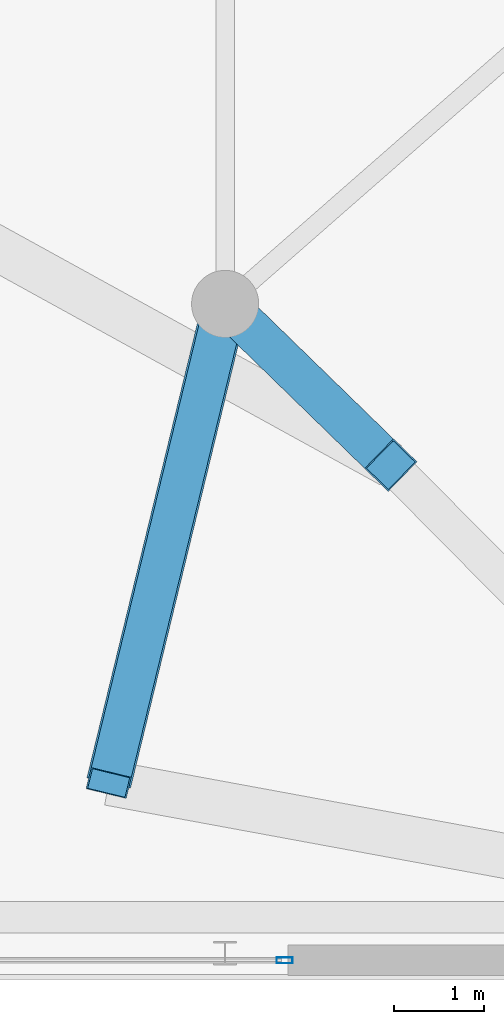
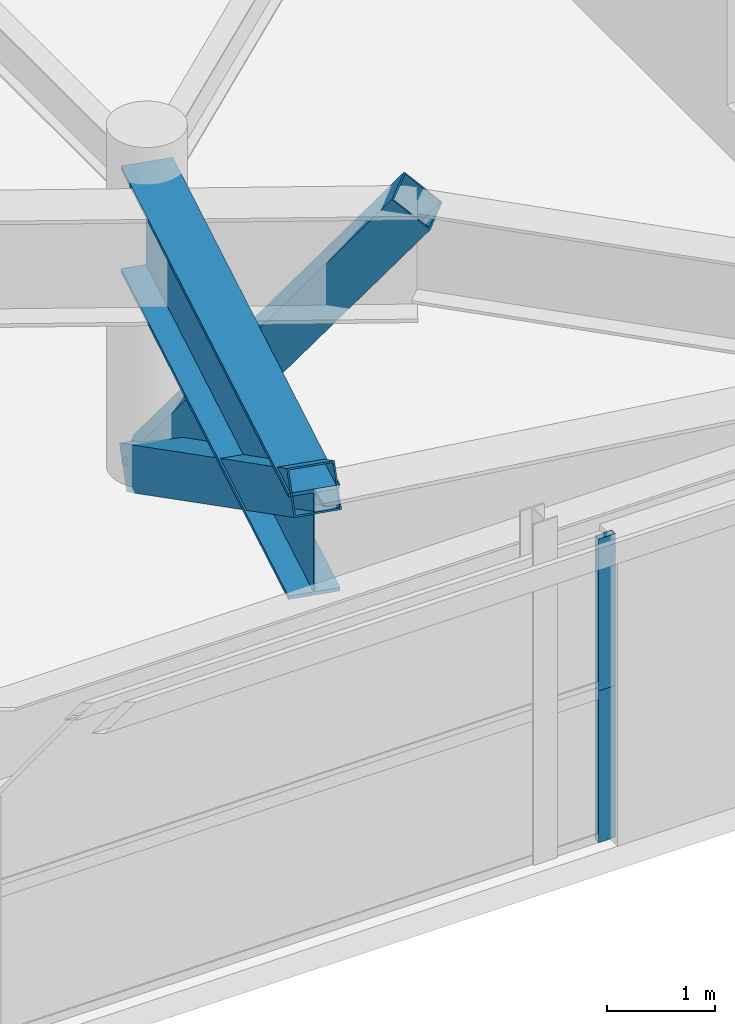
# One storey, part 17 of 27: 4 members, 1 beam, 2 elements without a shape of their own.
"""IFC4 building model written with IfcOpenShell, lengths in metres."""

from ifc_helpers import new_model, si_unit, direction, frame, origin, origin_2d, place, context, subcontext, project, spatial, hollow_rectangle, i_section, extrude, source, transform, mapped, material, layer, layer_set, material_profile, profile_set, type_object, element, aggregate, save


model = new_model("IFC4")

# Units and contexts
model_context = context("Model", 3, precision=1e-05, world=origin(), true_north=direction((0.0, 1.0)))
body_context = subcontext(model_context, "Body", "Model", "MODEL_VIEW")
ifc_project = project(units=[si_unit("LENGTHUNIT", "METRE"), si_unit("AREAUNIT", "SQUARE_METRE"), si_unit("VOLUMEUNIT", "CUBIC_METRE"), si_unit("PLANEANGLEUNIT", "RADIAN"), si_unit("MASSUNIT", "GRAM", prefix="KILO")], contexts=[model_context])

# Site, building, storey
site_placement = place(None, origin())
site = spatial("IfcSite", under=ifc_project, at=site_placement, CompositionType="ELEMENT")
building_placement = place(site_placement, origin())
building = spatial("IfcBuilding", under=site, at=building_placement, Name="Taldren Reach Tower", CompositionType="ELEMENT")
storey_placement = place(building_placement, frame((0.0, 0.0, 12.949951171875)))
storey = spatial("IfcBuildingStorey", under=building, at=storey_placement, Name="L03", CompositionType="ELEMENT", Elevation=12.949951171875)

# Member
ifc_material_1 = material(Name="Steel Gr 450 (C450L0)", Category="steel")
ifc_material_profile_1 = material_profile(ifc_material_1, hollow_rectangle(XDim=0.4599609375, YDim=0.4599609375, WallThickness=0.01611328125, at=origin_2d()), Name="460x460x16.0SHS")
ifc_profile_set_1 = profile_set([ifc_material_profile_1], Name="Steel Gr 450 (C450L0)")
member_type_1 = type_object("IfcMemberType", Name="MB-EXO457", PredefinedType="BRACE", material=ifc_profile_set_1)
shared_shape_1 = source(origin(), body_context, "Body", "SweptSolid", [
    extrude(hollow_rectangle(XDim=0.4599609375, YDim=0.4599609375, WallThickness=0.01611328125, at=origin_2d()), origin(), (0.0, 0.0, 1.0), 6.476318359375),
])
member_1_placement = place(storey_placement, frame((62.5, 7.5, 0.02001953125), z_axis=(-0.200742524089, -0.826116746082, 0.526529734075), x_axis=(0.971722897714, -0.236124141203, 0.0)))
element("IfcMember", 1, at=member_1_placement, inside=storey, type_object=member_type_1, Name="Portal and block transfer strut TS-B1-S6 L03", PredefinedType="BRACE", context=body_context, shape_type="MappedRepresentation", body=[
    mapped(shared_shape_1, transform((0.0, 0.0, 0.0), scale=1.0)),
])

# Beam
ifc_material_2 = material(Name="Steel Gr 350 (350PLUS)", Category="steel")
ifc_material_profile_2 = material_profile(ifc_material_2, i_section(OverallWidth=0.5, OverallDepth=1.199951171875, WebThickness=0.01611328125, FlangeThickness=0.0400390625, at=origin_2d()), Name="1200WB455")
ifc_profile_set_2 = profile_set([ifc_material_profile_2], Name="Steel Gr 350 (350PLUS)")
beam_type = type_object("IfcBeamType", Name="BM-WB1200", PredefinedType="BEAM", material=ifc_profile_set_2)
shared_shape_2 = source(origin(), body_context, "Body", "SweptSolid", [
    extrude(i_section(OverallWidth=0.5, OverallDepth=1.199951171875, WebThickness=0.01611328125, FlangeThickness=0.0400390625, at=origin_2d()), origin(), (0.0, 0.0, 1.0), 5.505859375),
])
beam_placement = place(storey_placement, frame((62.5, 7.5, 2.830078125), z_axis=(-0.236124141203, -0.971722897714, 0.0), x_axis=(0.971722897714, -0.236124141203, 0.0)))
element("IfcBeam", 2, at=beam_placement, inside=storey, type_object=beam_type, Name="Block transfer girder TG-B1-S6A on L03", PredefinedType="BEAM", context=body_context, shape_type="MappedRepresentation", body=[
    mapped(shared_shape_2, transform((0.0, 0.0, 0.0), scale=1.0)),
])

# Member
shared_shape_3 = source(origin(), body_context, "Body", "SweptSolid", [
    extrude(hollow_rectangle(XDim=0.4599609375, YDim=0.4599609375, WallThickness=0.01611328125, at=origin_2d()), origin(), (0.0, 0.0, 1.0), 4.27685546875),
])
member_2_placement = place(storey_placement, frame((62.5, 7.5, 0.02001953125), z_axis=(0.43259492115, -0.420892366539, 0.79731502556), x_axis=(0.697345767821, 0.716734874345, 0.0)))
element("IfcMember", 3, at=member_2_placement, inside=storey, type_object=member_type_1, Name="Portal and block transfer strut TS-B1-E1 L03", PredefinedType="BRACE", context=body_context, shape_type="MappedRepresentation", body=[
    mapped(shared_shape_3, transform((0.0, 0.0, 0.0), scale=1.0)),
])

# Curtain wall, member
ifc_material_3 = material(Name="Aluminium and Low-E Glass Unitised System", Category="aluminium")
ifc_layer = layer(ifc_material_3, 0.159912109375)
ifc_layer_set = layer_set([ifc_layer], Name="Aluminium and Low-E Glass Unitised System")
curtain_wall_type = type_object("IfcCurtainWallType", Name="CW-SYS-1", PredefinedType="NOTDEFINED", material=ifc_layer_set)
curtain_wall_1_placement = place(storey_placement, origin())
curtain_wall_1 = element("IfcCurtainWall", 4, at=curtain_wall_1_placement, inside=storey, type_object=curtain_wall_type, Name="Unitised curtain wall CW1-L03-S3", PredefinedType="NOTDEFINED")
ifc_material_4 = material(Name="Anodised Aluminium 6063-T6", Category="aluminium")
ifc_material_profile_3 = material_profile(ifc_material_4, hollow_rectangle(XDim=0.070068359375, YDim=0.179931640625, WallThickness=0.00390625, at=origin_2d()), Name="ALU-180x70x4RHS")
ifc_profile_set_3 = profile_set([ifc_material_profile_3], Name="Anodised Aluminium 6063-T6")
member_type_2 = type_object("IfcMemberType", Name="CW-MUL-180", PredefinedType="MULLION", material=ifc_profile_set_3)
shared_shape_4 = source(origin(), body_context, "Body", "SweptSolid", [
    extrude(hollow_rectangle(XDim=0.070068359375, YDim=0.179931640625, WallThickness=0.00390625, at=origin_2d()), origin(), (0.0, 0.0, 1.0), 1.715087890625),
])
member_3_placement = place(storey_placement, frame((63.1650390625, 0.169921875, 0.0), z_axis=(0.0, 0.0, 1.0), x_axis=(0.0, 1.0, 0.0)))
member_3 = element("IfcMember", 5, at=member_3_placement, type_object=member_type_2, Name="CW-1 mullion 3", PredefinedType="MULLION", context=body_context, shape_type="MappedRepresentation", body=[
    mapped(shared_shape_4, transform((0.0, 0.0, 0.0), scale=1.0)),
])
aggregate(curtain_wall_1, [member_3])

curtain_wall_2_placement = place(storey_placement, origin())
curtain_wall_2 = element("IfcCurtainWall", 6, at=curtain_wall_2_placement, inside=storey, type_object=curtain_wall_type, Name="Unitised curtain wall CW1-L03-S3-T2", PredefinedType="NOTDEFINED")
shared_shape_5 = source(origin(), body_context, "Body", "SweptSolid", [
    extrude(hollow_rectangle(XDim=0.070068359375, YDim=0.179931640625, WallThickness=0.00390625, at=origin_2d()), origin(), (0.0, 0.0, 1.0), 1.71484375),
])
member_4_placement = place(storey_placement, frame((63.1650390625, 0.169921875, 1.715087890625), z_axis=(0.0, 0.0, 1.0), x_axis=(0.0, 1.0, 0.0)))
member_4 = element("IfcMember", 7, at=member_4_placement, type_object=member_type_2, Name="CW-1 mullion 3", PredefinedType="MULLION", context=body_context, shape_type="MappedRepresentation", body=[
    mapped(shared_shape_5, transform((0.0, 0.0, 0.0), scale=1.0)),
])
aggregate(curtain_wall_2, [member_4])

save(model, "model.ifc")
